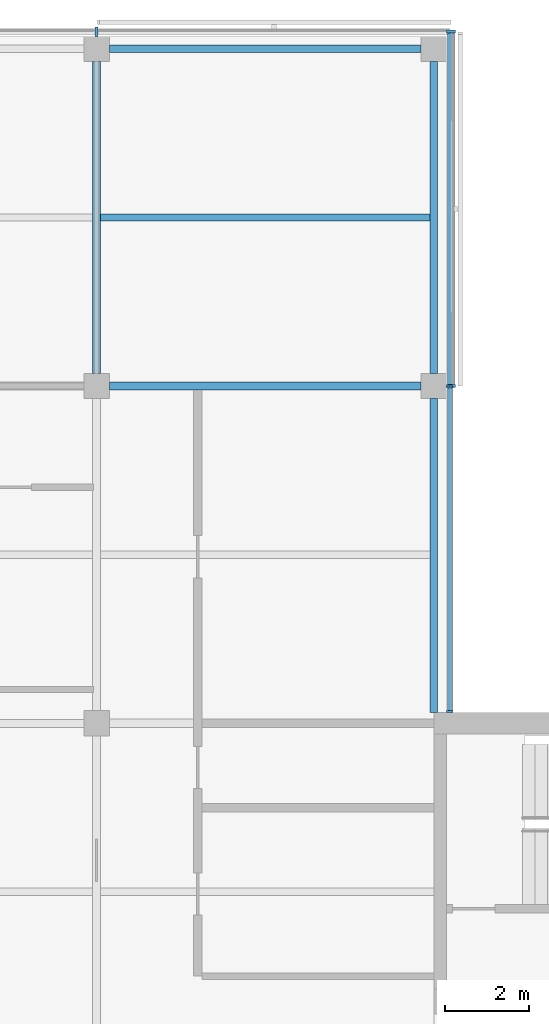
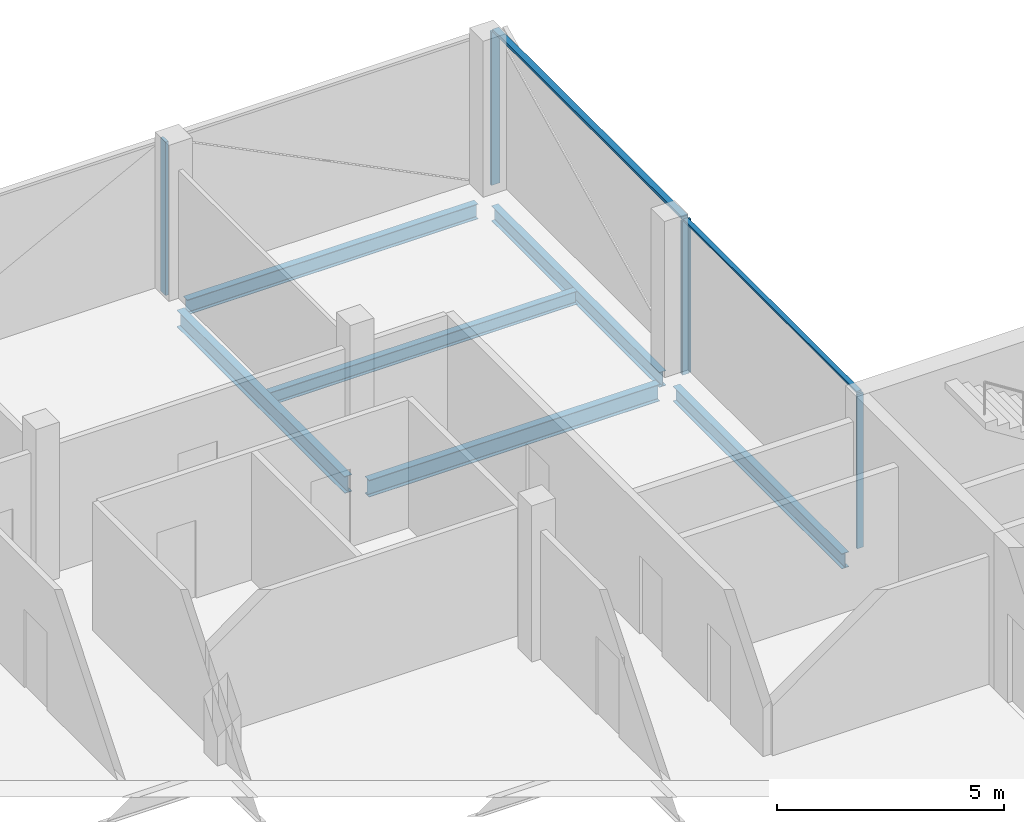
# One storey, part 7 of 16: 7 members, 6 beams, 3 elements without a shape of their own.
"""IFC4 building model written with IfcOpenShell, lengths in metres."""

from ifc_helpers import new_model, si_unit, direction, frame, origin, origin_2d, place, context, subcontext, project, spatial, rectangle, i_section, extrude, material, material_profile, profile_set, type_object, element, aggregate, save


model = new_model("IFC4")

# Units and contexts
model_context = context("Model", 3, precision=1e-05, world=origin(), true_north=direction((0.0, 1.0)))
body_context = subcontext(model_context, "Body", "Model", "MODEL_VIEW")
ifc_project = project(units=[si_unit("LENGTHUNIT", "METRE"), si_unit("AREAUNIT", "SQUARE_METRE"), si_unit("VOLUMEUNIT", "CUBIC_METRE"), si_unit("PLANEANGLEUNIT", "RADIAN"), si_unit("MASSUNIT", "GRAM", prefix="KILO")], contexts=[model_context])

# Site, building, storey
site_placement = place(None, origin())
site = spatial("IfcSite", under=ifc_project, at=site_placement, CompositionType="ELEMENT")
building_placement = place(site_placement, origin())
building = spatial("IfcBuilding", under=site, at=building_placement, Name="Crosswind Convention Tower", CompositionType="ELEMENT")
storey_placement = place(building_placement, frame((0.0, 0.0, 340.699951171875)))
storey = spatial("IfcBuildingStorey", under=building, at=storey_placement, Name="L74", CompositionType="ELEMENT", Elevation=340.699951171875)

# Beams
ifc_material_1 = material(Name="Steel S355", Category="steel")
ifc_material_profile_1 = material_profile(ifc_material_1, i_section(OverallWidth=0.177734375, OverallDepth=0.406494140625, WebThickness=0.0078125, FlangeThickness=0.0126953125, FilletRadius=0.01025390625, at=origin_2d()), Name="UB 406x178x60")
ifc_profile_set_1 = profile_set([ifc_material_profile_1], Name="Steel S355")
beam_type_1 = type_object("IfcBeamType", Name="Edge beam UB 406x178x60", PredefinedType="SPANDREL", material=ifc_profile_set_1)
beam_1_placement = place(storey_placement, frame((129.300048828125, 128.0, -0.503173828125), z_axis=(1.0, 0.0, 0.0), x_axis=(0.0, 1.0, 0.0)))
element("IfcBeam", 1, at=beam_1_placement, inside=storey, type_object=beam_type_1, Name="B15 L74 edge beam 10", PredefinedType="SPANDREL", context=body_context, shape_type="SweptSolid", body=[
    extrude(i_section(OverallWidth=0.177734375, OverallDepth=0.406494140625, WebThickness=0.0078125, FlangeThickness=0.0126953125, FilletRadius=0.01025390625, at=origin_2d()), origin(), (0.0, 0.0, 1.0), 7.39990234375),
])
beam_2_placement = place(storey_placement, frame((137.0, 112.25, -0.503173828125), z_axis=(0.0, 1.0, 0.0), x_axis=(-1.0, 0.0, 0.0)))
element("IfcBeam", 2, at=beam_2_placement, inside=storey, type_object=beam_type_1, Name="B15 L74 edge beam 13", PredefinedType="SPANDREL", context=body_context, shape_type="SweptSolid", body=[
    extrude(i_section(OverallWidth=0.177734375, OverallDepth=0.406494140625, WebThickness=0.0078125, FlangeThickness=0.0126953125, FilletRadius=0.01025390625, at=origin_2d()), origin(), (0.0, 0.0, 1.0), 7.449951171875),
])
beam_3_placement = place(storey_placement, frame((137.0, 120.300048828125, -0.503173828125), z_axis=(0.0, 1.0, 0.0), x_axis=(-1.0, 0.0, 0.0)))
element("IfcBeam", 3, at=beam_3_placement, inside=storey, type_object=beam_type_1, Name="B15 L74 edge beam 14", PredefinedType="SPANDREL", context=body_context, shape_type="SweptSolid", body=[
    extrude(i_section(OverallWidth=0.177734375, OverallDepth=0.406494140625, WebThickness=0.0078125, FlangeThickness=0.0126953125, FilletRadius=0.01025390625, at=origin_2d()), origin(), (0.0, 0.0, 1.0), 7.39990234375),
])
ifc_material_profile_2 = material_profile(ifc_material_1, i_section(OverallWidth=0.18994140625, OverallDepth=0.45361328125, WebThickness=0.008544921875, FlangeThickness=0.0126953125, FilletRadius=0.01025390625, at=origin_2d()), Name="UB 457x191x67")
ifc_profile_set_2 = profile_set([ifc_material_profile_2], Name="Steel S355")
beam_type_2 = type_object("IfcBeamType", Name="Girder UB 457x191x67", PredefinedType="BEAM", material=ifc_profile_set_2)
for number, where, z_axis, x_axis, name in (
    (4, (129.0, 120.300048828125, -0.52685546875), (0.0, 1.0, 0.0), (-1.0, 0.0, 0.0), "B1 L74 girder 22"),
    (5, (129.300048828125, 120.0, -0.52685546875), (1.0, 0.0, 0.0), (0.0, 1.0, 0.0), "B1 L74 girder 24"),
):
    element("IfcBeam", number, at=place(storey_placement, frame(where, z_axis=z_axis, x_axis=x_axis)), inside=storey, type_object=beam_type_2, Name=name, PredefinedType="BEAM", context=body_context, shape_type="SweptSolid", body=[
        extrude(i_section(OverallWidth=0.18994140625, OverallDepth=0.45361328125, WebThickness=0.008544921875, FlangeThickness=0.0126953125, FilletRadius=0.01025390625, at=origin_2d()), origin(), (0.0, 0.0, 1.0), 7.39990234375),
    ])

# Curtain wall, members
ifc_material_2 = material(Name="Aluminium unitised curtain wall", Category="aluminium")
curtain_wall_type_1 = type_object("IfcCurtainWallType", Name="CORE END SLOT WALL 160", PredefinedType="USERDEFINED", material=ifc_material_2)
curtain_wall_1_placement = place(storey_placement, origin())
curtain_wall_1 = element("IfcCurtainWall", 6, at=curtain_wall_1_placement, inside=storey, type_object=curtain_wall_type_1, Name="CW6 L74 N-E.1-1 slot", ObjectType="UNITISED", PredefinedType="USERDEFINED")
ifc_material_3 = material(Name="Aluminium mullion", Category="aluminium")
ifc_material_profile_3 = material_profile(ifc_material_3, rectangle(XDim=0.159912109375, YDim=0.050048828125, at=origin_2d()), Name="AL 160X50")
ifc_profile_set_3 = profile_set([ifc_material_profile_3], Name="Aluminium mullion")
member_type_1 = type_object("IfcMemberType", Name="MULLION 50X160", PredefinedType="MULLION", material=ifc_profile_set_3)
member_1_placement = place(storey_placement, frame((137.3798828125, 112.27490234375, -0.300048828125), z_axis=(0.0, 0.0, 1.0), x_axis=(1.0, 0.0, 0.0)))
member_1 = element("IfcMember", 7, at=member_1_placement, type_object=member_type_1, Name="CW6 mullion 1", PredefinedType="MULLION", context=body_context, shape_type="SweptSolid", body=[
    extrude(rectangle(XDim=0.159912109375, YDim=0.050048828125, at=origin_2d()), origin(), (0.0, 0.0, 1.0), 4.150146484375),
])
member_2_placement = place(storey_placement, frame((137.3798828125, 119.97509765625, -0.300048828125), z_axis=(0.0, 0.0, 1.0), x_axis=(1.0, 0.0, 0.0)))
member_2 = element("IfcMember", 8, at=member_2_placement, type_object=member_type_1, Name="CW6 mullion 2", PredefinedType="MULLION", context=body_context, shape_type="SweptSolid", body=[
    extrude(rectangle(XDim=0.159912109375, YDim=0.050048828125, at=origin_2d()), origin(), (0.0, 0.0, 1.0), 4.150146484375),
])

curtain_wall_type_2 = type_object("IfcCurtainWallType", Name="OFFICE UNITISED WALL 220", PredefinedType="USERDEFINED", material=ifc_material_2)
curtain_wall_2_placement = place(storey_placement, origin())
curtain_wall_2 = element("IfcCurtainWall", 9, at=curtain_wall_2_placement, inside=storey, type_object=curtain_wall_type_2, Name="CW3 L74 N-E 1", ObjectType="UNITISED", PredefinedType="USERDEFINED")
ifc_material_profile_4 = material_profile(ifc_material_3, rectangle(XDim=0.219970703125, YDim=0.070068359375, at=origin_2d()), Name="AL 220X70")
ifc_profile_set_4 = profile_set([ifc_material_profile_4], Name="Aluminium mullion")
member_type_2 = type_object("IfcMemberType", Name="MULLION 70X220", PredefinedType="MULLION", material=ifc_profile_set_4)
member_3_placement = place(storey_placement, frame((137.409912109375, 120.0, -0.300048828125), z_axis=(0.0, 0.0, 1.0), x_axis=(1.0, 0.0, 0.0)))
member_3 = element("IfcMember", 10, at=member_3_placement, type_object=member_type_2, Name="CW3 mullion 1", PredefinedType="MULLION", context=body_context, shape_type="SweptSolid", body=[
    extrude(rectangle(XDim=0.219970703125, YDim=0.070068359375, at=origin_2d()), origin(), (0.0, 0.0, 1.0), 4.130126953125),
])
member_4_placement = place(storey_placement, frame((137.409912109375, 128.409912109375, -0.300048828125), z_axis=(0.0, 0.0, 1.0), x_axis=(1.0, 0.0, 0.0)))
member_4 = element("IfcMember", 11, at=member_4_placement, type_object=member_type_2, Name="CW3 mullion 2", PredefinedType="MULLION", context=body_context, shape_type="SweptSolid", body=[
    extrude(rectangle(XDim=0.219970703125, YDim=0.070068359375, at=origin_2d()), origin(), (0.0, 0.0, 1.0), 4.130126953125),
])

# Curtain wall, member
curtain_wall_3_placement = place(storey_placement, origin())
curtain_wall_3 = element("IfcCurtainWall", 12, at=curtain_wall_3_placement, inside=storey, type_object=curtain_wall_type_2, Name="CW3 L74 N-TIP 1", ObjectType="UNITISED", PredefinedType="USERDEFINED")
member_5_placement = place(storey_placement, frame((129.0, 128.409912109375, -0.300048828125), z_axis=(0.0, 0.0, 1.0), x_axis=(0.0, 1.0, 0.0)))
member_5 = element("IfcMember", 13, at=member_5_placement, type_object=member_type_2, Name="CW3 mullion 2", PredefinedType="MULLION", context=body_context, shape_type="SweptSolid", body=[
    extrude(rectangle(XDim=0.219970703125, YDim=0.070068359375, at=origin_2d()), origin(), (0.0, 0.0, 1.0), 4.130126953125),
])
aggregate(curtain_wall_3, [member_5])

# Beam
ifc_material_profile_5 = material_profile(ifc_material_1, i_section(OverallWidth=0.17138671875, OverallDepth=0.355712890625, WebThickness=0.00732421875, FlangeThickness=0.011474609375, FilletRadius=0.01025390625, at=origin_2d()), Name="UB 356x171x51")
ifc_profile_set_5 = profile_set([ifc_material_profile_5], Name="Steel S355")
beam_type_3 = type_object("IfcBeamType", Name="Secondary beam UB 356x171x51", PredefinedType="JOIST", material=ifc_profile_set_5)
beam_4_placement = place(storey_placement, frame((129.094970703125, 124.0, -0.477783203125), z_axis=(1.0, 0.0, 0.0), x_axis=(0.0, 1.0, 0.0)))
element("IfcBeam", 14, at=beam_4_placement, inside=storey, type_object=beam_type_3, Name="B8 L74 secondary beam 21", PredefinedType="JOIST", context=body_context, shape_type="SweptSolid", body=[
    extrude(i_section(OverallWidth=0.17138671875, OverallDepth=0.355712890625, WebThickness=0.00732421875, FlangeThickness=0.011474609375, FilletRadius=0.01025390625, at=origin_2d()), origin(), (0.0, 0.0, 1.0), 7.816162109375),
])

# Member
ifc_material_4 = material(Name="Aluminium transom", Category="aluminium")
ifc_material_profile_6 = material_profile(ifc_material_4, rectangle(XDim=0.1201171875, YDim=0.050048828125, at=origin_2d()), Name="AL 120X50")
ifc_profile_set_6 = profile_set([ifc_material_profile_6], Name="Aluminium transom")
member_type_3 = type_object("IfcMemberType", Name="TRANSOM 50X120", PredefinedType="USERDEFINED", material=ifc_profile_set_6)
member_6_placement = place(storey_placement, frame((137.3798828125, 112.300048828125, 3.875), z_axis=(0.0, 1.0, 0.0), x_axis=(-1.0, 0.0, 0.0)))
member_6 = element("IfcMember", 15, at=member_6_placement, type_object=member_type_3, Name="CW6 transom", ObjectType="TRANSOM", PredefinedType="USERDEFINED", context=body_context, shape_type="SweptSolid", body=[
    extrude(rectangle(XDim=0.1201171875, YDim=0.050048828125, at=origin_2d()), origin(), (0.0, 0.0, 1.0), 7.64990234375),
])

aggregate(curtain_wall_1, [member_1, member_2, member_6])

ifc_material_profile_7 = material_profile(ifc_material_4, rectangle(XDim=0.159912109375, YDim=0.070068359375, at=origin_2d()), Name="AL 160X70")
ifc_profile_set_7 = profile_set([ifc_material_profile_7], Name="Aluminium transom")
member_type_4 = type_object("IfcMemberType", Name="TRANSOM 70X160", PredefinedType="USERDEFINED", material=ifc_profile_set_7)
member_7_placement = place(storey_placement, frame((137.409912109375, 120.034912109375, 3.864990234375), z_axis=(0.0, 1.0, 0.0), x_axis=(-1.0, 0.0, 0.0)))
member_7 = element("IfcMember", 16, at=member_7_placement, type_object=member_type_4, Name="CW3 transom", ObjectType="TRANSOM", PredefinedType="USERDEFINED", context=body_context, shape_type="SweptSolid", body=[
    extrude(rectangle(XDim=0.159912109375, YDim=0.070068359375, at=origin_2d()), origin(), (0.0, 0.0, 1.0), 8.340087890625),
])

aggregate(curtain_wall_2, [member_3, member_4, member_7])

save(model, "model.ifc")
